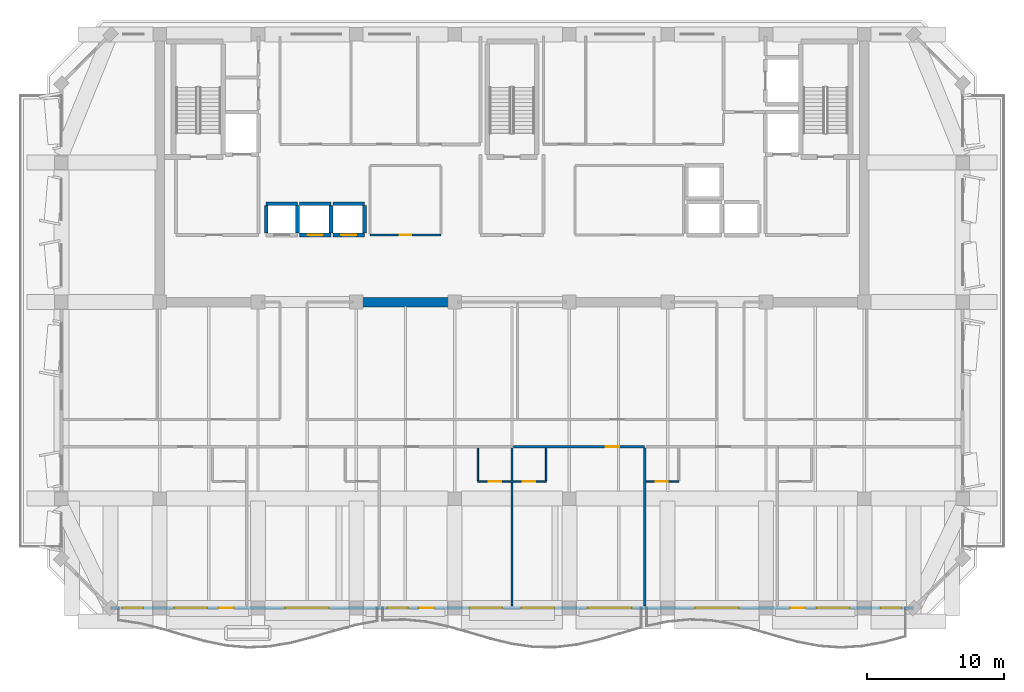
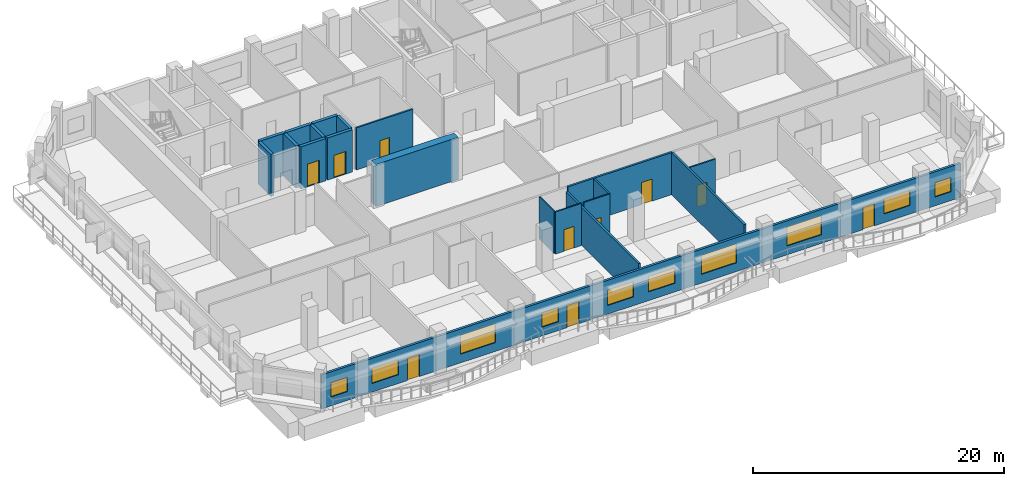
# One storey, part 4 of 12: 20 walls, 10 doors, 10 windows, 20 openings.
"""IFC4 building model written with IfcOpenShell, lengths in metres."""

import ifcopenshell
import ifcopenshell.guid

model = None  # the IFC model being written
_history = None  # IfcOwnerHistory: only IFC2X3 demands one
_inside = {}  # id of a spatial element -> (the spatial element, [elements in it])
_under = {}  # id of a project, library or spatial element -> (it, [spatial elements below it])
_declared = {}  # id of a project -> (the project, [libraries it declares])
_typed = {}  # id of a type object -> (the type object, [elements of that type])
_made_of = {}  # id of a material, layer set ... -> (it, [elements and type objects made of it])


def new_model(schema):
    """Start an empty IFC model of exactly this schema.

    Asked for "IFC4X3", IfcOpenShell would pick the latest addendum, in which some entities
    have other attributes; the version numbers below select the first issue.
    IFC2X3 requires an IfcOwnerHistory on every rooted entity: one is made here for all.
    """
    global model, _history
    if schema == "IFC4X3":
        model = ifcopenshell.file(schema_version=(4, 3, 0, 0))
    else:
        model = ifcopenshell.file(schema=schema)
    _inside.clear()
    _under.clear()
    _declared.clear()
    _typed.clear()
    _made_of.clear()
    _history = None
    if model.schema == "IFC2X3":
        org = make("IfcOrganization", Name="unknown")
        user = make(
            "IfcPersonAndOrganization",
            ThePerson=make("IfcPerson", FamilyName="unknown"),
            TheOrganization=org,
        )
        app = make(
            "IfcApplication",
            ApplicationDeveloper=org,
            Version="unknown",
            ApplicationFullName="unknown",
            ApplicationIdentifier="unknown",
        )
        _history = make(
            "IfcOwnerHistory",
            OwningUser=user,
            OwningApplication=app,
            ChangeAction="ADDED",
            CreationDate=0,
        )
    return model


def make(cls, **values):
    """One entity of the class cls with the attributes given. An attribute that is None is left unset."""
    return model.create_entity(
        cls, **{name: value for name, value in values.items() if value is not None}
    )


def rooted(cls, **values):
    """An entity with a GlobalId (a new one), such as an element, a storey or a relation."""
    return make(cls, GlobalId=ifcopenshell.guid.new(), OwnerHistory=_history, **values)


def si_unit(unit_type, name, prefix=None):
    """IfcSIUnit, for example si_unit("LENGTHUNIT", "METRE", prefix="MILLI")."""
    return make("IfcSIUnit", UnitType=unit_type, Prefix=prefix, Name=name)


def assignment(units):
    """IfcUnitAssignment: the units of a project."""
    return None if units is None else make("IfcUnitAssignment", Units=units)


def point(xyz):
    """IfcCartesianPoint."""
    return None if xyz is None else make("IfcCartesianPoint", Coordinates=xyz)


def direction(xyz):
    """IfcDirection."""
    return None if xyz is None else make("IfcDirection", DirectionRatios=xyz)


def frame(location, z_axis=None, x_axis=None):
    """IfcAxis2Placement3D, a coordinate frame: its origin and axes. An axis left out is left unset."""
    return make(
        "IfcAxis2Placement3D",
        Location=point(location),
        Axis=direction(z_axis),
        RefDirection=direction(x_axis),
    )


def frame_2d(location, x_axis=None):
    """IfcAxis2Placement2D, a coordinate frame in the plane: its origin and x axis."""
    return make(
        "IfcAxis2Placement2D", Location=point(location), RefDirection=direction(x_axis)
    )


def origin():
    """The frame at (0, 0, 0) with its axes left unset."""
    return frame((0.0, 0.0, 0.0))


def place(relative_to, where):
    """IfcLocalPlacement: puts the frame where relative to a parent placement (None: the world)."""
    return make(
        "IfcLocalPlacement", PlacementRelTo=relative_to, RelativePlacement=where
    )


def context(
    kind, dimensions, precision=None, world=None, true_north=None, identifier=None
):
    """IfcGeometricRepresentationContext, for example the 3D "Model" context."""
    return make(
        "IfcGeometricRepresentationContext",
        ContextIdentifier=identifier,
        ContextType=kind,
        CoordinateSpaceDimension=dimensions,
        Precision=precision,
        WorldCoordinateSystem=world,
        TrueNorth=true_north,
    )


def subcontext(parent, identifier, kind, view, scale=None):
    """IfcGeometricRepresentationSubContext, for example "Body" below "Model"."""
    return make(
        "IfcGeometricRepresentationSubContext",
        ContextIdentifier=identifier,
        ContextType=kind,
        ParentContext=parent,
        TargetScale=scale,
        TargetView=view,
    )


def project(units=None, contexts=None):
    """IfcProject with its units and contexts."""
    return rooted(
        "IfcProject",
        Name="project",
        RepresentationContexts=contexts,
        UnitsInContext=assignment(units),
    )


def spatial(cls, under=None, at=None, **own):
    """A site, building, storey or space (cls), placed at a placement, below another one or the project."""
    s = rooted(cls, ObjectPlacement=at, **own)
    if under is not None:
        _under.setdefault(under.id(), (under, []))[1].append(s)
    return s


def profile(cls, at=None, kind="AREA", **sizes):
    """A parametric profile (cls). Its sizes go by their IFC names, for example OverallWidth=200.0."""
    return make(cls, ProfileType=kind, Position=at, **sizes)


def rectangle(**sizes):
    """IfcRectangleProfileDef."""
    return profile("IfcRectangleProfileDef", **sizes)


def extrude(swept, where, along, depth):
    """IfcExtrudedAreaSolid: the profile swept, set in the frame where, extruded along a direction by depth."""
    return make(
        "IfcExtrudedAreaSolid",
        SweptArea=swept,
        Position=where,
        ExtrudedDirection=direction(along),
        Depth=depth,
    )


def shape(context_of_items, identifier, shape_type, items):
    """IfcShapeRepresentation: the items that make up one representation, for example the "Body"."""
    return make(
        "IfcShapeRepresentation",
        ContextOfItems=context_of_items,
        RepresentationIdentifier=identifier,
        RepresentationType=shape_type,
        Items=items,
    )


def material(Name=None, Category=None):
    """IfcMaterial."""
    return make("IfcMaterial", Name=Name, Category=Category)


def layer(
    of_material, thickness, ventilated=None, Name=None, Category=None, Priority=None
):
    """IfcMaterialLayer: one layer of a wall or slab, of a material (None: an air gap)."""
    return make(
        "IfcMaterialLayer",
        Material=of_material,
        LayerThickness=thickness,
        IsVentilated=ventilated,
        Name=Name,
        Category=Category,
        Priority=Priority,
    )


def layer_set(layers, Name=None):
    """IfcMaterialLayerSet."""
    return make("IfcMaterialLayerSet", MaterialLayers=layers, LayerSetName=Name)


def made_of(thing, what):
    """Note that an element or type object is made of a material, layer set ...; save() writes the relation."""
    if what is not None:
        _made_of.setdefault(what.id(), (what, []))[1].append(thing)
    return thing


def type_object(cls, material=None, **own):
    """A type object (cls), such as IfcWallType, which elements share."""
    return made_of(rooted(cls, **own), material)


def element(
    cls,
    number,
    at=None,
    inside=None,
    cuts=None,
    type_object=None,
    material=None,
    context=None,
    identifier="Body",
    shape_type=None,
    held_by="IfcProductDefinitionShape",
    body=None,
    shapes=None,
    **own,
):
    """One element of the class cls, such as IfcWall. Its Tag is "e" and its number.

    at: its placement. inside: the storey or other place that contains it. cuts: it is an
    opening in that element (IfcRelVoidsElement). A single representation is given by context,
    identifier, shape_type and body (its items); several are given by shapes. held_by: the class
    of the entity that holds the representations. save() writes the other relations.
    """
    e = rooted(cls, Tag="e%d" % number, ObjectPlacement=at, **own)
    if body is not None:
        shapes = [shape(context, identifier, shape_type, body)]
    if shapes is not None:
        e.Representation = make(held_by, Representations=shapes)
    if inside is not None:
        _inside.setdefault(inside.id(), (inside, []))[1].append(e)
    if cuts is not None:
        rooted(
            "IfcRelVoidsElement", RelatingBuildingElement=cuts, RelatedOpeningElement=e
        )
    if type_object is not None:
        _typed.setdefault(type_object.id(), (type_object, []))[1].append(e)
    return made_of(e, material)


def fill(opening, filler):
    """IfcRelFillsElement: the door or window that sits in an opening."""
    return rooted(
        "IfcRelFillsElement",
        RelatingOpeningElement=opening,
        RelatedBuildingElement=filler,
    )


def aggregate(whole, parts):
    """IfcRelAggregates: a whole, such as a stair, and the parts it consists of."""
    return rooted("IfcRelAggregates", RelatingObject=whole, RelatedObjects=parts)


def save(model, path):
    """Write the relations noted so far, then the file.

    IfcRelAggregates (storeys below a building ...), IfcRelContainedInSpatialStructure (elements
    in a storey), IfcRelDefinesByType, IfcRelAssociatesMaterial and IfcRelDeclares: one each for
    every whole, place, type object, material and project.
    """
    for whole, parts in _under.values():
        aggregate(whole, parts)
    for where, things in _inside.values():
        rooted(
            "IfcRelContainedInSpatialStructure",
            RelatedElements=things,
            RelatingStructure=where,
        )
    for kind, things in _typed.values():
        rooted("IfcRelDefinesByType", RelatedObjects=things, RelatingType=kind)
    for what, things in _made_of.values():
        rooted("IfcRelAssociatesMaterial", RelatedObjects=things, RelatingMaterial=what)
    for by, libraries in _declared.values():
        rooted("IfcRelDeclares", RelatingContext=by, RelatedDefinitions=libraries)
    model.write(path)


model = new_model("IFC4")

# Units and contexts
model_context = context("Model", 3, precision=1e-05, world=origin(), true_north=direction((0.0, 1.0)))
body_context = subcontext(model_context, "Body", "Model", "MODEL_VIEW")
ifc_project = project(units=[si_unit("LENGTHUNIT", "METRE"), si_unit("AREAUNIT", "SQUARE_METRE"), si_unit("VOLUMEUNIT", "CUBIC_METRE"), si_unit("PLANEANGLEUNIT", "RADIAN"), si_unit("MASSUNIT", "GRAM", prefix="KILO")], contexts=[model_context])

# Site, building, storey
site_placement = place(None, origin())
site = spatial("IfcSite", under=ifc_project, at=site_placement, CompositionType="ELEMENT")
building_placement = place(site_placement, origin())
building = spatial("IfcBuilding", under=site, at=building_placement, Name="Kaelvorn Grand Hotel", CompositionType="ELEMENT")
storey_placement = place(building_placement, frame((0.0, 0.0, 285.89990234375)))
storey = spatial("IfcBuildingStorey", under=building, at=storey_placement, Name="L70", CompositionType="ELEMENT", Elevation=285.89990234375)

# Wall
ifc_material_1 = material(Name="Concrete C50/60", Category="concrete")
ifc_layer_1 = layer(ifc_material_1, 0.699951171875)
ifc_layer_set_1 = layer_set([ifc_layer_1], Name="Concrete C50/60")
wall_type_1 = type_object("IfcWallType", Name="WL-CORE-700-C50", PredefinedType="SHEAR", material=ifc_layer_set_1)
wall_1_placement = place(storey_placement, frame((30.39990234375, 29.39990234375, 0.0), z_axis=(0.0, 0.0, 1.0), x_axis=(1.0, 0.0, 0.0)))
element("IfcWall", 1, at=wall_1_placement, inside=storey, type_object=wall_type_1, Name="L70 Rear-Core Coupled Shear Pier S2", PredefinedType="SHEAR", context=body_context, shape_type="SweptSolid", body=[
    extrude(rectangle(XDim=7.60009765625, YDim=0.699951171875, at=frame_2d((3.800048828125, 0.0))), origin(), (0.0, 0.0, 1.0), 4.10009765625),
])

# Wall, openings, doors, windows
ifc_material_2 = material(Name="Concrete C40/50", Category="concrete")
ifc_layer_2 = layer(ifc_material_2, 0.219970703125)
ifc_layer_set_2 = layer_set([ifc_layer_2], Name="Concrete C40/50")
wall_type_2 = type_object("IfcWallType", Name="WL-EXT-220-C40", PredefinedType="SOLIDWALL", material=ifc_layer_set_2)
wall_2_placement = place(storey_placement, frame((12.60009765625, 7.0, 0.0), z_axis=(0.0, 0.0, 1.0), x_axis=(1.0, 0.0, 0.0)))
wall_2 = element("IfcWall", 2, at=wall_2_placement, inside=storey, type_object=wall_type_2, Name="L70 Exterior Architectural Concrete Wall 01", PredefinedType="SOLIDWALL", context=body_context, shape_type="SweptSolid", body=[
    extrude(rectangle(XDim=58.7998046875, YDim=0.219970703125, at=frame_2d((29.39990234375, 0.0))), origin(), (0.0, 0.0, 1.0), 3.300048828125),
])
opening_1_placement = place(wall_2_placement, frame((7.916748046875, 0.0, 0.0)))
opening_1 = element("IfcOpeningElement", 3, at=opening_1_placement, cuts=wall_2, Name="Opening DE2", PredefinedType="OPENING", context=body_context, shape_type="SweptSolid", body=[
    extrude(rectangle(XDim=1.10009765625, YDim=2.14990234375, at=frame_2d((0.550048828125, 1.074951171875))), frame((0.0, 0.1201171875, 0.0), z_axis=(0.0, -1.0, 0.0), x_axis=(1.0, 0.0, 0.0)), (0.0, 0.0, 1.0), 0.239990234375),
])
opening_2_placement = place(wall_2_placement, frame((22.583251953125, 0.0, 0.0)))
opening_2 = element("IfcOpeningElement", 4, at=opening_2_placement, cuts=wall_2, Name="Opening DE2", PredefinedType="OPENING", context=body_context, shape_type="SweptSolid", body=[
    extrude(rectangle(XDim=1.10009765625, YDim=2.14990234375, at=frame_2d((0.550048828125, 1.074951171875))), frame((0.0, 0.1201171875, 0.0), z_axis=(0.0, -1.0, 0.0), x_axis=(1.0, 0.0, 0.0)), (0.0, 0.0, 1.0), 0.239990234375),
])
opening_3_placement = place(wall_2_placement, frame((49.783203125, 0.0, 0.0)))
opening_3 = element("IfcOpeningElement", 5, at=opening_3_placement, cuts=wall_2, Name="Opening DE2", PredefinedType="OPENING", context=body_context, shape_type="SweptSolid", body=[
    extrude(rectangle(XDim=1.10009765625, YDim=2.14990234375, at=frame_2d((0.550048828125, 1.074951171875))), frame((0.0, 0.1201171875, 0.0), z_axis=(0.0, -1.0, 0.0), x_axis=(1.0, 0.0, 0.0)), (0.0, 0.0, 1.0), 0.239990234375),
])
opening_4_placement = place(wall_2_placement, frame((0.885009765625, 0.0, 0.85009765625)))
opening_4 = element("IfcOpeningElement", 6, at=opening_4_placement, cuts=wall_2, Name="Opening W10", PredefinedType="OPENING", context=body_context, shape_type="SweptSolid", body=[
    extrude(rectangle(XDim=1.5, YDim=1.39990234375, at=frame_2d((0.75, 0.699951171875))), frame((0.0, 0.1201171875, 0.0), z_axis=(0.0, -1.0, 0.0), x_axis=(1.0, 0.0, 0.0)), (0.0, 0.0, 1.0), 0.239990234375),
])
opening_5_placement = place(wall_2_placement, frame((4.67333984375, 0.0, 0.85009765625)))
opening_5 = element("IfcOpeningElement", 7, at=opening_5_placement, cuts=wall_2, Name="Opening W6", PredefinedType="OPENING", context=body_context, shape_type="SweptSolid", body=[
    extrude(rectangle(XDim=2.39990234375, YDim=1.5, at=frame_2d((1.199951171875, 0.75))), frame((0.0, 0.1201171875, 0.0), z_axis=(0.0, -1.0, 0.0), x_axis=(1.0, 0.0, 0.0)), (0.0, 0.0, 1.0), 0.239990234375),
])
opening_6_placement = place(wall_2_placement, frame((12.800048828125, 0.0, 0.85009765625)))
opening_6 = element("IfcOpeningElement", 8, at=opening_6_placement, cuts=wall_2, Name="Opening W4", PredefinedType="OPENING", context=body_context, shape_type="SweptSolid", body=[
    extrude(rectangle(XDim=3.199951171875, YDim=1.85009765625, at=frame_2d((1.60009765625, 0.925048828125))), frame((0.0, 0.1201171875, 0.0), z_axis=(0.0, -1.0, 0.0), x_axis=(1.0, 0.0, 0.0)), (0.0, 0.0, 1.0), 0.239990234375),
])
opening_7_placement = place(wall_2_placement, frame((20.298095703125, 0.0, 0.85009765625)))
opening_7 = element("IfcOpeningElement", 9, at=opening_7_placement, cuts=wall_2, Name="Opening W10", PredefinedType="OPENING", context=body_context, shape_type="SweptSolid", body=[
    extrude(rectangle(XDim=1.5, YDim=1.39990234375, at=frame_2d((0.75, 0.699951171875))), frame((0.0, 0.1201171875, 0.0), z_axis=(0.0, -1.0, 0.0), x_axis=(1.0, 0.0, 0.0)), (0.0, 0.0, 1.0), 0.239990234375),
])
opening_8_placement = place(wall_2_placement, frame((26.300048828125, 0.0, 0.85009765625)))
opening_8 = element("IfcOpeningElement", 10, at=opening_8_placement, cuts=wall_2, Name="Opening W6", PredefinedType="OPENING", context=body_context, shape_type="SweptSolid", body=[
    extrude(rectangle(XDim=2.39990234375, YDim=1.5, at=frame_2d((1.199951171875, 0.75))), frame((0.0, 0.1201171875, 0.0), z_axis=(0.0, -1.0, 0.0), x_axis=(1.0, 0.0, 0.0)), (0.0, 0.0, 1.0), 0.239990234375),
])
opening_9_placement = place(wall_2_placement, frame((30.10009765625, 0.0, 0.85009765625)))
opening_9 = element("IfcOpeningElement", 11, at=opening_9_placement, cuts=wall_2, Name="Opening W6", PredefinedType="OPENING", context=body_context, shape_type="SweptSolid", body=[
    extrude(rectangle(XDim=2.39990234375, YDim=1.5, at=frame_2d((1.199951171875, 0.75))), frame((0.0, 0.1201171875, 0.0), z_axis=(0.0, -1.0, 0.0), x_axis=(1.0, 0.0, 0.0)), (0.0, 0.0, 1.0), 0.239990234375),
])
opening_10_placement = place(wall_2_placement, frame((34.95849609375, 0.0, 0.85009765625)))
opening_10 = element("IfcOpeningElement", 12, at=opening_10_placement, cuts=wall_2, Name="Opening W4", PredefinedType="OPENING", context=body_context, shape_type="SweptSolid", body=[
    extrude(rectangle(XDim=3.199951171875, YDim=1.85009765625, at=frame_2d((1.60009765625, 0.925048828125))), frame((0.0, 0.1201171875, 0.0), z_axis=(0.0, -1.0, 0.0), x_axis=(1.0, 0.0, 0.0)), (0.0, 0.0, 1.0), 0.239990234375),
])
opening_11_placement = place(wall_2_placement, frame((42.800048828125, 0.0, 0.85009765625)))
opening_11 = element("IfcOpeningElement", 13, at=opening_11_placement, cuts=wall_2, Name="Opening W4", PredefinedType="OPENING", context=body_context, shape_type="SweptSolid", body=[
    extrude(rectangle(XDim=3.199951171875, YDim=1.85009765625, at=frame_2d((1.60009765625, 0.925048828125))), frame((0.0, 0.1201171875, 0.0), z_axis=(0.0, -1.0, 0.0), x_axis=(1.0, 0.0, 0.0)), (0.0, 0.0, 1.0), 0.239990234375),
])
opening_12_placement = place(wall_2_placement, frame((51.7265625, 0.0, 0.85009765625)))
opening_12 = element("IfcOpeningElement", 14, at=opening_12_placement, cuts=wall_2, Name="Opening W6", PredefinedType="OPENING", context=body_context, shape_type="SweptSolid", body=[
    extrude(rectangle(XDim=2.39990234375, YDim=1.5, at=frame_2d((1.199951171875, 0.75))), frame((0.0, 0.1201171875, 0.0), z_axis=(0.0, -1.0, 0.0), x_axis=(1.0, 0.0, 0.0)), (0.0, 0.0, 1.0), 0.239990234375),
])
opening_13_placement = place(wall_2_placement, frame((56.4150390625, 0.0, 0.85009765625)))
opening_13 = element("IfcOpeningElement", 15, at=opening_13_placement, cuts=wall_2, Name="Opening W10", PredefinedType="OPENING", context=body_context, shape_type="SweptSolid", body=[
    extrude(rectangle(XDim=1.5, YDim=1.39990234375, at=frame_2d((0.75, 0.699951171875))), frame((0.0, 0.1201171875, 0.0), z_axis=(0.0, -1.0, 0.0), x_axis=(1.0, 0.0, 0.0)), (0.0, 0.0, 1.0), 0.239990234375),
])
ifc_material_3 = material(Name="Anodised Aluminium", Category="aluminium")
door_type_1 = type_object("IfcDoorType", Name="DR-EXT-BALC-1100x2150", OperationType="NOTDEFINED", PredefinedType="DOOR", material=ifc_material_3)
door_1_placement = place(opening_1_placement, origin())
door_1 = element("IfcDoor", 16, at=door_1_placement, inside=storey, type_object=door_type_1, Name="L70 Scalloped Balcony Glazed Door DE2-1", OperationType="SINGLE_SWING_RIGHT", OverallHeight=2.14990234375, OverallWidth=1.10009765625, PredefinedType="DOOR", context=body_context, shape_type="SweptSolid", body=[
    extrude(rectangle(XDim=1.10009765625, YDim=2.14990234375, at=frame_2d((0.550048828125, 1.074951171875))), frame((0.0, 0.02490234375, 0.0), z_axis=(0.0, -1.0, 0.0), x_axis=(1.0, 0.0, 0.0)), (0.0, 0.0, 1.0), 0.050048828125),
])
fill(opening_1, door_1)
door_2_placement = place(opening_2_placement, origin())
door_2 = element("IfcDoor", 17, at=door_2_placement, inside=storey, type_object=door_type_1, Name="L70 Scalloped Balcony Glazed Door DE2-2", OperationType="SINGLE_SWING_LEFT", OverallHeight=2.14990234375, OverallWidth=1.10009765625, PredefinedType="DOOR", context=body_context, shape_type="SweptSolid", body=[
    extrude(rectangle(XDim=1.10009765625, YDim=2.14990234375, at=frame_2d((0.550048828125, 1.074951171875))), frame((0.0, 0.02490234375, 0.0), z_axis=(0.0, -1.0, 0.0), x_axis=(1.0, 0.0, 0.0)), (0.0, 0.0, 1.0), 0.050048828125),
])
fill(opening_2, door_2)
door_3_placement = place(opening_3_placement, origin())
door_3 = element("IfcDoor", 18, at=door_3_placement, inside=storey, type_object=door_type_1, Name="L70 Scalloped Balcony Glazed Door DE2-3", OperationType="SINGLE_SWING_RIGHT", OverallHeight=2.14990234375, OverallWidth=1.10009765625, PredefinedType="DOOR", context=body_context, shape_type="SweptSolid", body=[
    extrude(rectangle(XDim=1.10009765625, YDim=2.14990234375, at=frame_2d((0.550048828125, 1.074951171875))), frame((0.0, 0.02490234375, 0.0), z_axis=(0.0, -1.0, 0.0), x_axis=(1.0, 0.0, 0.0)), (0.0, 0.0, 1.0), 0.050048828125),
])
fill(opening_3, door_3)
ifc_material_4 = material(Name="Laminated Low-E Glass", Category="glass")
window_type_1 = type_object("IfcWindowType", Name="WIN-COR-1500x1400", PartitioningType="SINGLE_PANEL", PredefinedType="WINDOW", material=ifc_material_4)
window_1_placement = place(opening_4_placement, origin())
window_1 = element("IfcWindow", 19, at=window_1_placement, inside=storey, type_object=window_type_1, Name="L70 South Guestroom Ribbon Window SR01", OverallHeight=1.39990234375, OverallWidth=1.5, PartitioningType="SINGLE_PANEL", PredefinedType="WINDOW", context=body_context, shape_type="SweptSolid", body=[
    extrude(rectangle(XDim=1.5, YDim=1.39990234375, at=frame_2d((0.75, 0.699951171875))), frame((0.0, 0.030029296875, 0.0), z_axis=(0.0, -1.0, 0.0), x_axis=(1.0, 0.0, 0.0)), (0.0, 0.0, 1.0), 0.06005859375),
])
fill(opening_4, window_1)
window_2_placement = place(opening_7_placement, origin())
window_2 = element("IfcWindow", 20, at=window_2_placement, inside=storey, type_object=window_type_1, Name="L70 South Guestroom Ribbon Window SR04", OverallHeight=1.39990234375, OverallWidth=1.5, PartitioningType="SINGLE_PANEL", PredefinedType="WINDOW", context=body_context, shape_type="SweptSolid", body=[
    extrude(rectangle(XDim=1.5, YDim=1.39990234375, at=frame_2d((0.75, 0.699951171875))), frame((0.0, 0.030029296875, 0.0), z_axis=(0.0, -1.0, 0.0), x_axis=(1.0, 0.0, 0.0)), (0.0, 0.0, 1.0), 0.06005859375),
])
fill(opening_7, window_2)
window_3_placement = place(opening_13_placement, origin())
window_3 = element("IfcWindow", 21, at=window_3_placement, inside=storey, type_object=window_type_1, Name="L70 South Guestroom Ribbon Window SR10", OverallHeight=1.39990234375, OverallWidth=1.5, PartitioningType="SINGLE_PANEL", PredefinedType="WINDOW", context=body_context, shape_type="SweptSolid", body=[
    extrude(rectangle(XDim=1.5, YDim=1.39990234375, at=frame_2d((0.75, 0.699951171875))), frame((0.0, 0.030029296875, 0.0), z_axis=(0.0, -1.0, 0.0), x_axis=(1.0, 0.0, 0.0)), (0.0, 0.0, 1.0), 0.06005859375),
])
fill(opening_13, window_3)
window_type_2 = type_object("IfcWindowType", Name="WIN-NTH-2400x1500", PartitioningType="SINGLE_PANEL", PredefinedType="WINDOW", material=ifc_material_4)
window_4_placement = place(opening_5_placement, origin())
window_4 = element("IfcWindow", 22, at=window_4_placement, inside=storey, type_object=window_type_2, Name="L70 South Guestroom Ribbon Window SR02", OverallHeight=1.5, OverallWidth=2.39990234375, PartitioningType="SINGLE_PANEL", PredefinedType="WINDOW", context=body_context, shape_type="SweptSolid", body=[
    extrude(rectangle(XDim=2.39990234375, YDim=1.5, at=frame_2d((1.199951171875, 0.75))), frame((0.0, 0.030029296875, 0.0), z_axis=(0.0, -1.0, 0.0), x_axis=(1.0, 0.0, 0.0)), (0.0, 0.0, 1.0), 0.06005859375),
])
fill(opening_5, window_4)
window_5_placement = place(opening_8_placement, origin())
window_5 = element("IfcWindow", 23, at=window_5_placement, inside=storey, type_object=window_type_2, Name="L70 South Guestroom Ribbon Window SR05", OverallHeight=1.5, OverallWidth=2.39990234375, PartitioningType="SINGLE_PANEL", PredefinedType="WINDOW", context=body_context, shape_type="SweptSolid", body=[
    extrude(rectangle(XDim=2.39990234375, YDim=1.5, at=frame_2d((1.199951171875, 0.75))), frame((0.0, 0.030029296875, 0.0), z_axis=(0.0, -1.0, 0.0), x_axis=(1.0, 0.0, 0.0)), (0.0, 0.0, 1.0), 0.06005859375),
])
fill(opening_8, window_5)
window_6_placement = place(opening_9_placement, origin())
window_6 = element("IfcWindow", 24, at=window_6_placement, inside=storey, type_object=window_type_2, Name="L70 South Guestroom Ribbon Window SR06", OverallHeight=1.5, OverallWidth=2.39990234375, PartitioningType="SINGLE_PANEL", PredefinedType="WINDOW", context=body_context, shape_type="SweptSolid", body=[
    extrude(rectangle(XDim=2.39990234375, YDim=1.5, at=frame_2d((1.199951171875, 0.75))), frame((0.0, 0.030029296875, 0.0), z_axis=(0.0, -1.0, 0.0), x_axis=(1.0, 0.0, 0.0)), (0.0, 0.0, 1.0), 0.06005859375),
])
fill(opening_9, window_6)
window_7_placement = place(opening_12_placement, origin())
window_7 = element("IfcWindow", 25, at=window_7_placement, inside=storey, type_object=window_type_2, Name="L70 South Guestroom Ribbon Window SR09", OverallHeight=1.5, OverallWidth=2.39990234375, PartitioningType="SINGLE_PANEL", PredefinedType="WINDOW", context=body_context, shape_type="SweptSolid", body=[
    extrude(rectangle(XDim=2.39990234375, YDim=1.5, at=frame_2d((1.199951171875, 0.75))), frame((0.0, 0.030029296875, 0.0), z_axis=(0.0, -1.0, 0.0), x_axis=(1.0, 0.0, 0.0)), (0.0, 0.0, 1.0), 0.06005859375),
])
fill(opening_12, window_7)
window_type_3 = type_object("IfcWindowType", Name="WIN-RIB-3200x1850", PartitioningType="SINGLE_PANEL", PredefinedType="WINDOW", material=ifc_material_4)
window_8_placement = place(opening_6_placement, origin())
window_8 = element("IfcWindow", 26, at=window_8_placement, inside=storey, type_object=window_type_3, Name="L70 South Guestroom Ribbon Window SR03", OverallHeight=1.85009765625, OverallWidth=3.199951171875, PartitioningType="SINGLE_PANEL", PredefinedType="WINDOW", context=body_context, shape_type="SweptSolid", body=[
    extrude(rectangle(XDim=3.199951171875, YDim=1.85009765625, at=frame_2d((1.60009765625, 0.925048828125))), frame((0.0, 0.030029296875, 0.0), z_axis=(0.0, -1.0, 0.0), x_axis=(1.0, 0.0, 0.0)), (0.0, 0.0, 1.0), 0.06005859375),
])
fill(opening_6, window_8)
window_9_placement = place(opening_10_placement, origin())
window_9 = element("IfcWindow", 27, at=window_9_placement, inside=storey, type_object=window_type_3, Name="L70 South Guestroom Ribbon Window SR07", OverallHeight=1.85009765625, OverallWidth=3.199951171875, PartitioningType="SINGLE_PANEL", PredefinedType="WINDOW", context=body_context, shape_type="SweptSolid", body=[
    extrude(rectangle(XDim=3.199951171875, YDim=1.85009765625, at=frame_2d((1.60009765625, 0.925048828125))), frame((0.0, 0.030029296875, 0.0), z_axis=(0.0, -1.0, 0.0), x_axis=(1.0, 0.0, 0.0)), (0.0, 0.0, 1.0), 0.06005859375),
])
fill(opening_10, window_9)
window_10_placement = place(opening_11_placement, origin())
window_10 = element("IfcWindow", 28, at=window_10_placement, inside=storey, type_object=window_type_3, Name="L70 South Guestroom Ribbon Window SR08", OverallHeight=1.85009765625, OverallWidth=3.199951171875, PartitioningType="SINGLE_PANEL", PredefinedType="WINDOW", context=body_context, shape_type="SweptSolid", body=[
    extrude(rectangle(XDim=3.199951171875, YDim=1.85009765625, at=frame_2d((1.60009765625, 0.925048828125))), frame((0.0, 0.030029296875, 0.0), z_axis=(0.0, -1.0, 0.0), x_axis=(1.0, 0.0, 0.0)), (0.0, 0.0, 1.0), 0.06005859375),
])
fill(opening_11, window_10)

# Wall, opening, door
ifc_material_5 = material(Name="Moisture-Resistant Tile & Stud Board")
ifc_layer_3 = layer(ifc_material_5, 0.125)
ifc_layer_set_3 = layer_set([ifc_layer_3], Name="Moisture-Resistant Tile & Stud Board")
wall_type_3 = type_object("IfcWallType", Name="WL-PART-125-WET", PredefinedType="PARTITIONING", material=ifc_layer_set_3)
wall_3_placement = place(storey_placement, frame((39.5, 16.25, 0.0), z_axis=(0.0, 0.0, 1.0), x_axis=(1.0, 0.0, 0.0)))
wall_3 = element("IfcWall", 29, at=wall_3_placement, inside=storey, type_object=wall_type_3, Name="L70 En-suite Bathroom L70-03 S Partition", PredefinedType="PARTITIONING", context=body_context, shape_type="SweptSolid", body=[
    extrude(rectangle(XDim=2.405029296875, YDim=0.125, at=frame_2d((1.20263671875, 0.0))), origin(), (0.0, 0.0, 1.0), 4.10009765625),
])
opening_14_placement = place(wall_3_placement, frame((0.800048828125, 0.0, 0.0)))
opening_14 = element("IfcOpeningElement", 30, at=opening_14_placement, cuts=wall_3, Name="Opening DI4", PredefinedType="OPENING", context=body_context, shape_type="SweptSolid", body=[
    extrude(rectangle(XDim=0.89990234375, YDim=2.10009765625, at=frame_2d((0.449951171875, 1.050048828125))), frame((0.0, 0.072509765625, 0.0), z_axis=(0.0, -1.0, 0.0), x_axis=(1.0, 0.0, 0.0)), (0.0, 0.0, 1.0), 0.14501953125),
])
ifc_material_6 = material(Name="Timber Veneer Leaf", Category="wood")
door_type_2 = type_object("IfcDoorType", Name="DR-INT-BATH-900x2100", OperationType="NOTDEFINED", PredefinedType="DOOR", material=ifc_material_6)
door_4_placement = place(opening_14_placement, origin())
door_4 = element("IfcDoor", 31, at=door_4_placement, inside=storey, type_object=door_type_2, Name="L70 En-suite Bathroom L70-03 Door", OperationType="SINGLE_SWING_RIGHT", OverallHeight=2.10009765625, OverallWidth=0.89990234375, PredefinedType="DOOR", context=body_context, shape_type="SweptSolid", body=[
    extrude(rectangle(XDim=0.89990234375, YDim=2.10009765625, at=frame_2d((0.449951171875, 1.050048828125))), frame((0.0, 0.02490234375, 0.0), z_axis=(0.0, -1.0, 0.0), x_axis=(1.0, 0.0, 0.0)), (0.0, 0.0, 1.0), 0.050048828125),
])
fill(opening_14, door_4)

# Wall
wall_4_placement = place(storey_placement, frame((39.5, 16.3173828125, 0.0), z_axis=(0.0, 0.0, 1.0), x_axis=(0.0, 1.0, 0.0)))
element("IfcWall", 32, at=wall_4_placement, inside=storey, type_object=wall_type_3, Name="L70 En-suite Bathroom L70-03 W Partition", PredefinedType="PARTITIONING", context=body_context, shape_type="SweptSolid", body=[
    extrude(rectangle(XDim=2.3876953125, YDim=0.125, at=frame_2d((1.19384765625, 0.0))), origin(), (0.0, 0.0, 1.0), 4.10009765625),
])

# Wall, opening, door
wall_5_placement = place(storey_placement, frame((42.094970703125, 16.25, 0.0), z_axis=(0.0, 0.0, 1.0), x_axis=(1.0, 0.0, 0.0)))
wall_5 = element("IfcWall", 33, at=wall_5_placement, inside=storey, type_object=wall_type_3, Name="L70 En-suite Bathroom L70-04 S Partition", PredefinedType="PARTITIONING", context=body_context, shape_type="SweptSolid", body=[
    extrude(rectangle(XDim=2.405029296875, YDim=0.125, at=frame_2d((1.20263671875, 0.0))), origin(), (0.0, 0.0, 1.0), 4.10009765625),
])
opening_15_placement = place(wall_5_placement, frame((0.705078125, 0.0, 0.0)))
opening_15 = element("IfcOpeningElement", 34, at=opening_15_placement, cuts=wall_5, Name="Opening DI4", PredefinedType="OPENING", context=body_context, shape_type="SweptSolid", body=[
    extrude(rectangle(XDim=0.89990234375, YDim=2.10009765625, at=frame_2d((0.449951171875, 1.050048828125))), frame((0.0, 0.072509765625, 0.0), z_axis=(0.0, -1.0, 0.0), x_axis=(1.0, 0.0, 0.0)), (0.0, 0.0, 1.0), 0.14501953125),
])
door_5_placement = place(opening_15_placement, origin())
door_5 = element("IfcDoor", 35, at=door_5_placement, inside=storey, type_object=door_type_2, Name="L70 En-suite Bathroom L70-04 Door", OperationType="SINGLE_SWING_RIGHT", OverallHeight=2.10009765625, OverallWidth=0.89990234375, PredefinedType="DOOR", context=body_context, shape_type="SweptSolid", body=[
    extrude(rectangle(XDim=0.89990234375, YDim=2.10009765625, at=frame_2d((0.449951171875, 1.050048828125))), frame((0.0, 0.02490234375, 0.0), z_axis=(0.0, -1.0, 0.0), x_axis=(1.0, 0.0, 0.0)), (0.0, 0.0, 1.0), 0.050048828125),
])
fill(opening_15, door_5)

# Wall
wall_6_placement = place(storey_placement, frame((44.5, 16.3173828125, 0.0), z_axis=(0.0, 0.0, 1.0), x_axis=(0.0, 1.0, 0.0)))
element("IfcWall", 36, at=wall_6_placement, inside=storey, type_object=wall_type_3, Name="L70 En-suite Bathroom L70-04 E Partition", PredefinedType="PARTITIONING", context=body_context, shape_type="SweptSolid", body=[
    extrude(rectangle(XDim=2.3876953125, YDim=0.125, at=frame_2d((1.19384765625, 0.0))), origin(), (0.0, 0.0, 1.0), 4.10009765625),
])

# Wall, opening, door
wall_7_placement = place(storey_placement, frame((51.811767578125, 16.25, 0.0), z_axis=(0.0, 0.0, 1.0), x_axis=(1.0, 0.0, 0.0)))
wall_7 = element("IfcWall", 37, at=wall_7_placement, inside=storey, type_object=wall_type_3, Name="L70 En-suite Bathroom L70-05 S Partition", PredefinedType="PARTITIONING", context=body_context, shape_type="SweptSolid", body=[
    extrude(rectangle(XDim=2.405029296875, YDim=0.125, at=frame_2d((1.20263671875, 0.0))), origin(), (0.0, 0.0, 1.0), 4.10009765625),
])
opening_16_placement = place(wall_7_placement, frame((0.705078125, 0.0, 0.0)))
opening_16 = element("IfcOpeningElement", 38, at=opening_16_placement, cuts=wall_7, Name="Opening DI4", PredefinedType="OPENING", context=body_context, shape_type="SweptSolid", body=[
    extrude(rectangle(XDim=0.89990234375, YDim=2.10009765625, at=frame_2d((0.449951171875, 1.050048828125))), frame((0.0, 0.072509765625, 0.0), z_axis=(0.0, -1.0, 0.0), x_axis=(1.0, 0.0, 0.0)), (0.0, 0.0, 1.0), 0.14501953125),
])
door_6_placement = place(opening_16_placement, origin())
door_6 = element("IfcDoor", 39, at=door_6_placement, inside=storey, type_object=door_type_2, Name="L70 En-suite Bathroom L70-05 Door", OperationType="SINGLE_SWING_RIGHT", OverallHeight=2.10009765625, OverallWidth=0.89990234375, PredefinedType="DOOR", context=body_context, shape_type="SweptSolid", body=[
    extrude(rectangle(XDim=0.89990234375, YDim=2.10009765625, at=frame_2d((0.449951171875, 1.050048828125))), frame((0.0, 0.02490234375, 0.0), z_axis=(0.0, -1.0, 0.0), x_axis=(1.0, 0.0, 0.0)), (0.0, 0.0, 1.0), 0.050048828125),
])
fill(opening_16, door_6)

ifc_material_7 = material(Name="Acoustic Gypsum & Stud Partition")
ifc_layer_4 = layer(ifc_material_7, 0.14990234375)
ifc_layer_set_4 = layer_set([ifc_layer_4], Name="Acoustic Gypsum & Stud Partition")
wall_type_4 = type_object("IfcWallType", Name="WL-PART-150-EI60", PredefinedType="PARTITIONING", material=ifc_layer_set_4)
wall_8_placement = place(storey_placement, frame((31.60009765625, 34.300048828125, 0.0), z_axis=(0.0, 0.0, 1.0), x_axis=(1.0, 0.0, 0.0)))
wall_8 = element("IfcWall", 40, at=wall_8_placement, inside=storey, type_object=wall_type_4, Name="L70 Core Telecoms & BMS Server Room S Partition", PredefinedType="PARTITIONING", context=body_context, shape_type="SweptSolid", body=[
    extrude(rectangle(XDim=5.199951171875, YDim=0.14990234375, at=frame_2d((2.60009765625, 0.0))), origin(), (0.0, 0.0, 1.0), 4.10009765625),
])
opening_17_placement = place(wall_8_placement, frame((2.175048828125, 0.0, 0.0)))
opening_17 = element("IfcOpeningElement", 41, at=opening_17_placement, cuts=wall_8, Name="Opening DI7", PredefinedType="OPENING", context=body_context, shape_type="SweptSolid", body=[
    extrude(rectangle(XDim=0.85009765625, YDim=2.10009765625, at=frame_2d((0.425048828125, 1.050048828125))), frame((0.0, 0.0849609375, 0.0), z_axis=(0.0, -1.0, 0.0), x_axis=(1.0, 0.0, 0.0)), (0.0, 0.0, 1.0), 0.169921875),
])
ifc_material_8 = material(Name="Powder-Coated Steel Leaf", Category="steel")
door_type_3 = type_object("IfcDoorType", Name="DR-INT-RISER-850x2100", OperationType="NOTDEFINED", PredefinedType="DOOR", material=ifc_material_8)
door_7_placement = place(opening_17_placement, origin())
door_7 = element("IfcDoor", 42, at=door_7_placement, inside=storey, type_object=door_type_3, Name="L70 Core Telecoms & BMS Server Room Door", OperationType="SINGLE_SWING_LEFT", OverallHeight=2.10009765625, OverallWidth=0.85009765625, PredefinedType="DOOR", context=body_context, shape_type="SweptSolid", body=[
    extrude(rectangle(XDim=0.85009765625, YDim=2.10009765625, at=frame_2d((0.425048828125, 1.050048828125))), frame((0.0, 0.02490234375, 0.0), z_axis=(0.0, -1.0, 0.0), x_axis=(1.0, 0.0, 0.0)), (0.0, 0.0, 1.0), 0.050048828125),
])
fill(opening_17, door_7)

# Wall
ifc_layer_5 = layer(ifc_material_7, 0.179931640625)
ifc_layer_set_5 = layer_set([ifc_layer_5], Name="Acoustic Gypsum & Stud Partition")
wall_type_5 = type_object("IfcWallType", Name="WL-PART-180-EI60", PredefinedType="PARTITIONING", material=ifc_layer_set_5)
wall_9_placement = place(storey_placement, frame((42.0, 7.14990234375, 0.0), z_axis=(0.0, 0.0, 1.0), x_axis=(0.0, 1.0, 0.0)))
element("IfcWall", 43, at=wall_9_placement, inside=storey, type_object=wall_type_5, Name="L70 Presidential Sky Suite L70-03 E Partition", PredefinedType="PARTITIONING", context=body_context, shape_type="SweptSolid", body=[
    extrude(rectangle(XDim=11.55517578125, YDim=0.179931640625, at=frame_2d((5.777587890625, 0.0))), origin(), (0.0, 0.0, 1.0), 3.7001953125),
])

# Wall, opening, door
wall_10_placement = place(storey_placement, frame((42.094970703125, 18.800048828125, 0.0), z_axis=(0.0, 0.0, 1.0), x_axis=(1.0, 0.0, 0.0)))
wall_10 = element("IfcWall", 44, at=wall_10_placement, inside=storey, type_object=wall_type_5, Name="L70 Presidential Sky Suite L70-04 N Partition", PredefinedType="PARTITIONING", context=body_context, shape_type="SweptSolid", body=[
    extrude(rectangle(XDim=9.621826171875, YDim=0.179931640625, at=frame_2d((4.81103515625, 0.0))), origin(), (0.0, 0.0, 1.0), 4.10009765625),
])
opening_18_placement = place(wall_10_placement, frame((6.75341796875, 0.0, 0.0)))
opening_18 = element("IfcOpeningElement", 45, at=opening_18_placement, cuts=wall_10, Name="Opening DI3", PredefinedType="OPENING", context=body_context, shape_type="SweptSolid", body=[
    extrude(rectangle(XDim=1.0, YDim=2.14990234375, at=frame_2d((0.5, 1.074951171875))), frame((0.0, 0.10009765625, 0.0), z_axis=(0.0, -1.0, 0.0), x_axis=(1.0, 0.0, 0.0)), (0.0, 0.0, 1.0), 0.199951171875),
])
ifc_material_9 = material(Name="Timber Veneer Fire Leaf", Category="wood")
door_type_4 = type_object("IfcDoorType", Name="DR-INT-GUEST-1000x2150", OperationType="NOTDEFINED", PredefinedType="DOOR", material=ifc_material_9)
door_8_placement = place(opening_18_placement, origin())
door_8 = element("IfcDoor", 46, at=door_8_placement, inside=storey, type_object=door_type_4, Name="L70 Presidential Sky Suite L70-04 Door", OperationType="SINGLE_SWING_LEFT", OverallHeight=2.14990234375, OverallWidth=1.0, PredefinedType="DOOR", context=body_context, shape_type="SweptSolid", body=[
    extrude(rectangle(XDim=1.0, YDim=2.14990234375, at=frame_2d((0.5, 1.074951171875))), frame((0.0, 0.02490234375, 0.0), z_axis=(0.0, -1.0, 0.0), x_axis=(1.0, 0.0, 0.0)), (0.0, 0.0, 1.0), 0.050048828125),
])
fill(opening_18, door_8)

# Walls
wall_11_placement = place(storey_placement, frame((51.716796875, 7.14990234375, 0.0), z_axis=(0.0, 0.0, 1.0), x_axis=(0.0, 1.0, 0.0)))
element("IfcWall", 47, at=wall_11_placement, inside=storey, type_object=wall_type_5, Name="L70 Presidential Sky Suite L70-04 E Partition", PredefinedType="PARTITIONING", context=body_context, shape_type="SweptSolid", body=[
    extrude(rectangle(XDim=11.55517578125, YDim=0.179931640625, at=frame_2d((5.777587890625, 0.0))), origin(), (0.0, 0.0, 1.0), 4.10009765625),
])
ifc_layer_6 = layer(ifc_material_1, 0.280029296875)
ifc_layer_set_6 = layer_set([ifc_layer_6], Name="Concrete C50/60")
wall_type_6 = type_object("IfcWallType", Name="WL-SHAFT-280-C50", PredefinedType="SHEAR", material=ifc_layer_set_6)
wall_12_placement = place(storey_placement, frame((24.0, 36.60009765625, 0.0), z_axis=(0.0, 0.0, 1.0), x_axis=(1.0, 0.0, 0.0)))
element("IfcWall", 48, at=wall_12_placement, inside=storey, type_object=wall_type_6, Name="L70 Lift PL-H1 Shaft North Wall", PredefinedType="SHEAR", context=body_context, shape_type="SweptSolid", body=[
    extrude(rectangle(XDim=2.300048828125, YDim=0.280029296875, at=frame_2d((1.14990234375, 0.0))), origin(), (0.0, 0.0, 1.0), 4.10009765625),
])
for number, where, z_axis, x_axis, name in (
    (49, (24.0, 34.445068359375, 0.0), (0.0, 0.0, 1.0), (0.0, 1.0, 0.0), "L70 Lift PL-H1 Shaft West Wall"),
    (50, (26.300048828125, 34.445068359375, 0.0), (0.0, 0.0, 1.0), (0.0, 1.0, 0.0), "L70 Lift PL-H1 Shaft East Wall"),
):
    element("IfcWall", number, at=place(storey_placement, frame(where, z_axis=z_axis, x_axis=x_axis)), inside=storey, type_object=wall_type_6, Name=name, PredefinedType="SHEAR", context=body_context, shape_type="SweptSolid", body=[
        extrude(rectangle(XDim=2.010009765625, YDim=0.280029296875, at=frame_2d((1.0048828125, 0.0))), origin(), (0.0, 0.0, 1.0), 4.10009765625),
    ])

# Wall, opening, door
wall_13_placement = place(storey_placement, frame((26.449951171875, 34.300048828125, 0.0), z_axis=(0.0, 0.0, 1.0), x_axis=(1.0, 0.0, 0.0)))
wall_13 = element("IfcWall", 51, at=wall_13_placement, inside=storey, type_object=wall_type_6, Name="L70 Lift PL-H2 Shaft South Wall", PredefinedType="SHEAR", context=body_context, shape_type="SweptSolid", body=[
    extrude(rectangle(XDim=2.300048828125, YDim=0.280029296875, at=frame_2d((1.14990234375, 0.0))), origin(), (0.0, 0.0, 1.0), 4.10009765625),
])
opening_19_placement = place(wall_13_placement, frame((0.60009765625, 0.0, 0.0)))
opening_19 = element("IfcOpeningElement", 52, at=opening_19_placement, cuts=wall_13, Name="Opening LD-PL-H2", PredefinedType="OPENING", context=body_context, shape_type="SweptSolid", body=[
    extrude(rectangle(XDim=1.10009765625, YDim=2.199951171875, at=frame_2d((0.550048828125, 1.10009765625))), frame((0.0, 0.14990234375, 0.0), z_axis=(0.0, -1.0, 0.0), x_axis=(1.0, 0.0, 0.0)), (0.0, 0.0, 1.0), 0.300048828125),
])
ifc_material_10 = material(Name="Stainless Steel", Category="steel")
door_type_5 = type_object("IfcDoorType", Name="DR-LIFT-PASS-1100x2200", OperationType="DOUBLE_DOOR_SLIDING", PredefinedType="DOOR", material=ifc_material_10)
door_9_placement = place(opening_19_placement, origin())
door_9 = element("IfcDoor", 53, at=door_9_placement, inside=storey, type_object=door_type_5, Name="L70 Lift PL-H2 Sliding Landing Door LD-PL-H2", OperationType="DOUBLE_DOOR_SLIDING", OverallHeight=2.199951171875, OverallWidth=1.10009765625, PredefinedType="DOOR", context=body_context, shape_type="SweptSolid", body=[
    extrude(rectangle(XDim=1.10009765625, YDim=2.199951171875, at=frame_2d((0.550048828125, 1.10009765625))), frame((0.0, 0.02490234375, 0.0), z_axis=(0.0, -1.0, 0.0), x_axis=(1.0, 0.0, 0.0)), (0.0, 0.0, 1.0), 0.050048828125),
])
fill(opening_19, door_9)

# Walls
wall_14_placement = place(storey_placement, frame((26.449951171875, 36.60009765625, 0.0), z_axis=(0.0, 0.0, 1.0), x_axis=(1.0, 0.0, 0.0)))
element("IfcWall", 54, at=wall_14_placement, inside=storey, type_object=wall_type_6, Name="L70 Lift PL-H2 Shaft North Wall", PredefinedType="SHEAR", context=body_context, shape_type="SweptSolid", body=[
    extrude(rectangle(XDim=2.300048828125, YDim=0.280029296875, at=frame_2d((1.14990234375, 0.0))), origin(), (0.0, 0.0, 1.0), 4.10009765625),
])
wall_15_placement = place(storey_placement, frame((28.75, 34.445068359375, 0.0), z_axis=(0.0, 0.0, 1.0), x_axis=(0.0, 1.0, 0.0)))
element("IfcWall", 55, at=wall_15_placement, inside=storey, type_object=wall_type_6, Name="L70 Lift PL-H2 Shaft East Wall", PredefinedType="SHEAR", context=body_context, shape_type="SweptSolid", body=[
    extrude(rectangle(XDim=2.010009765625, YDim=0.280029296875, at=frame_2d((1.0048828125, 0.0))), origin(), (0.0, 0.0, 1.0), 4.10009765625),
])

# Wall, opening, door
wall_16_placement = place(storey_placement, frame((28.89990234375, 34.300048828125, 0.0), z_axis=(0.0, 0.0, 1.0), x_axis=(1.0, 0.0, 0.0)))
wall_16 = element("IfcWall", 56, at=wall_16_placement, inside=storey, type_object=wall_type_6, Name="L70 Lift PL-H3 Shaft South Wall", PredefinedType="SHEAR", context=body_context, shape_type="SweptSolid", body=[
    extrude(rectangle(XDim=2.300048828125, YDim=0.280029296875, at=frame_2d((1.14990234375, 0.0))), origin(), (0.0, 0.0, 1.0), 4.10009765625),
])
opening_20_placement = place(wall_16_placement, frame((0.60009765625, 0.0, 0.0)))
opening_20 = element("IfcOpeningElement", 57, at=opening_20_placement, cuts=wall_16, Name="Opening LD-PL-H3", PredefinedType="OPENING", context=body_context, shape_type="SweptSolid", body=[
    extrude(rectangle(XDim=1.10009765625, YDim=2.199951171875, at=frame_2d((0.550048828125, 1.10009765625))), frame((0.0, 0.14990234375, 0.0), z_axis=(0.0, -1.0, 0.0), x_axis=(1.0, 0.0, 0.0)), (0.0, 0.0, 1.0), 0.300048828125),
])
door_10_placement = place(opening_20_placement, origin())
door_10 = element("IfcDoor", 58, at=door_10_placement, inside=storey, type_object=door_type_5, Name="L70 Lift PL-H3 Sliding Landing Door LD-PL-H3", OperationType="DOUBLE_DOOR_SLIDING", OverallHeight=2.199951171875, OverallWidth=1.10009765625, PredefinedType="DOOR", context=body_context, shape_type="SweptSolid", body=[
    extrude(rectangle(XDim=1.10009765625, YDim=2.199951171875, at=frame_2d((0.550048828125, 1.10009765625))), frame((0.0, 0.02490234375, 0.0), z_axis=(0.0, -1.0, 0.0), x_axis=(1.0, 0.0, 0.0)), (0.0, 0.0, 1.0), 0.050048828125),
])
fill(opening_20, door_10)

# Walls
wall_17_placement = place(storey_placement, frame((28.89990234375, 36.60009765625, 0.0), z_axis=(0.0, 0.0, 1.0), x_axis=(1.0, 0.0, 0.0)))
element("IfcWall", 59, at=wall_17_placement, inside=storey, type_object=wall_type_6, Name="L70 Lift PL-H3 Shaft North Wall", PredefinedType="SHEAR", context=body_context, shape_type="SweptSolid", body=[
    extrude(rectangle(XDim=2.300048828125, YDim=0.280029296875, at=frame_2d((1.14990234375, 0.0))), origin(), (0.0, 0.0, 1.0), 4.10009765625),
])
wall_18_placement = place(storey_placement, frame((31.199951171875, 34.445068359375, 0.0), z_axis=(0.0, 0.0, 1.0), x_axis=(0.0, 1.0, 0.0)))
element("IfcWall", 60, at=wall_18_placement, inside=storey, type_object=wall_type_6, Name="L70 Lift PL-H3 Shaft East Wall", PredefinedType="SHEAR", context=body_context, shape_type="SweptSolid", body=[
    extrude(rectangle(XDim=2.010009765625, YDim=0.280029296875, at=frame_2d((1.0048828125, 0.0))), origin(), (0.0, 0.0, 1.0), 4.10009765625),
])

save(model, "model.ifc")
